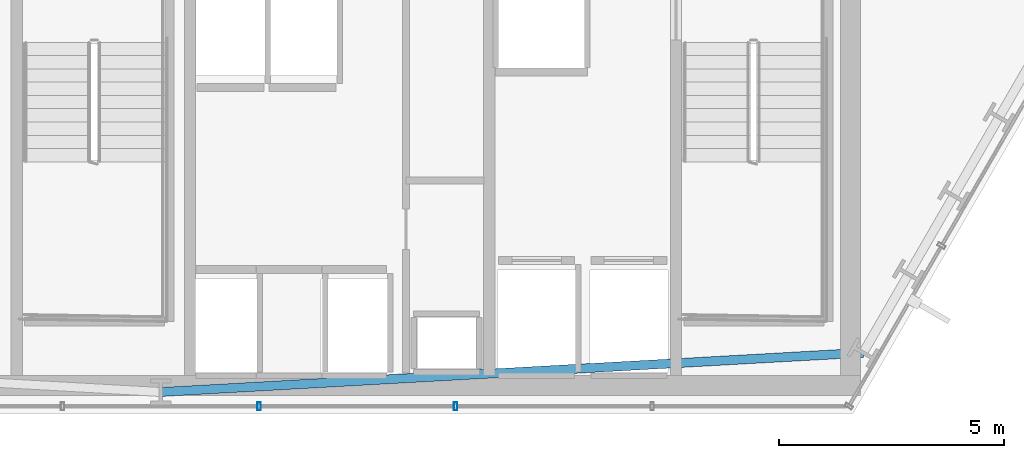
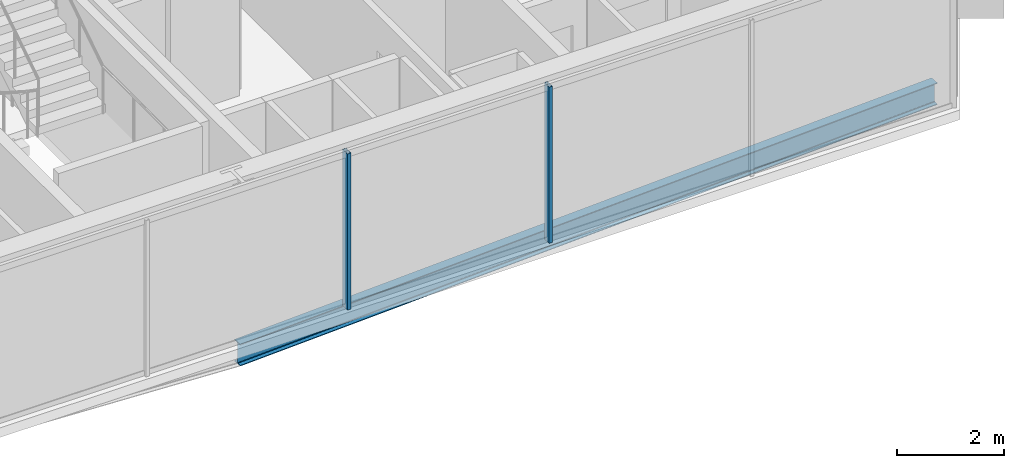
# One storey, part 8 of 33: 2 members, 1 beam, 1 element without a shape of its own.
"""IFC4 building model written with IfcOpenShell, lengths in metres."""

from ifc_helpers import new_model, si_unit, direction, frame, origin, origin_2d, place, context, subcontext, project, spatial, hollow_rectangle, i_section, extrude, material, layer, layer_set, material_profile, profile_set, type_object, element, aggregate, save


model = new_model("IFC4")

# Units and contexts
model_context = context("Model", 3, precision=1e-05, world=origin(), true_north=direction((0.0, 1.0)))
body_context = subcontext(model_context, "Body", "Model", "MODEL_VIEW")
ifc_project = project(units=[si_unit("LENGTHUNIT", "METRE"), si_unit("AREAUNIT", "SQUARE_METRE"), si_unit("VOLUMEUNIT", "CUBIC_METRE"), si_unit("PLANEANGLEUNIT", "RADIAN"), si_unit("MASSUNIT", "GRAM", prefix="KILO")], contexts=[model_context])

# Site, building, storey
site_placement = place(None, origin())
site = spatial("IfcSite", under=ifc_project, at=site_placement, CompositionType="ELEMENT")
building_placement = place(site_placement, origin())
building = spatial("IfcBuilding", under=site, at=building_placement, Name="Ndaravel Arena Tower", CompositionType="ELEMENT")
storey_placement = place(building_placement, frame((0.0, 0.0, 36.0)))
storey = spatial("IfcBuildingStorey", under=building, at=storey_placement, Name="L06", CompositionType="ELEMENT", Elevation=36.0)

# Beam
ifc_material_1 = material(Name="Steel S355", Category="steel")
ifc_material_profile_1 = material_profile(ifc_material_1, i_section(OverallWidth=0.199951171875, OverallDepth=0.5, WebThickness=0.01025390625, FlangeThickness=0.01611328125, FilletRadius=0.02099609375, at=origin_2d()), Name="IPE 500")
ifc_profile_set_1 = profile_set([ifc_material_profile_1], Name="Steel S355")
beam_type = type_object("IfcBeamType", Name="BM-SPAN-IPE500", PredefinedType="SPANDREL", material=ifc_profile_set_1)
beam_placement = place(storey_placement, frame((42.0, 5.47998046875, -0.469970703125), z_axis=(0.998443390482, 0.055774510331, 0.0), x_axis=(-0.055774510331, 0.998443390482, 0.0)))
element("IfcBeam", 1, at=beam_placement, inside=storey, type_object=beam_type, Name="L06 Perimeter Spandrel Beam SP-01", PredefinedType="SPANDREL", context=body_context, shape_type="SweptSolid", body=[
    extrude(i_section(OverallWidth=0.199951171875, OverallDepth=0.5, WebThickness=0.01025390625, FlangeThickness=0.01611328125, FilletRadius=0.02099609375, at=origin_2d()), origin(), (0.0, 0.0, 1.0), 15.63134765625),
])

# Curtain wall, members
ifc_material_2 = material(Name="Aluminium", Category="aluminium")
ifc_layer = layer(ifc_material_2, 0.179931640625)
ifc_layer_set = layer_set([ifc_layer], Name="Aluminium")
curtain_wall_type = type_object("IfcCurtainWallType", Name="CW-SYS-03", PredefinedType="NOTDEFINED", material=ifc_layer_set)
curtain_wall_placement = place(storey_placement, origin())
curtain_wall = element("IfcCurtainWall", 2, at=curtain_wall_placement, inside=storey, type_object=curtain_wall_type, Name="L06 Faceted Crystal Curtain Wall CW-L06-E01", PredefinedType="NOTDEFINED")
ifc_material_3 = material(Name="Aluminium", Category="aluminium")
ifc_material_profile_2 = material_profile(ifc_material_3, hollow_rectangle(XDim=0.074951171875, YDim=0.179931640625, WallThickness=0.00390625, at=origin_2d()), Name="CW MULLION 75x180x4")
ifc_profile_set_2 = profile_set([ifc_material_profile_2], Name="Aluminium")
member_type = type_object("IfcMemberType", Name="MEM-CW-MUL180", PredefinedType="MULLION", material=ifc_profile_set_2)
member_1_placement = place(storey_placement, frame((44.18408203125, 5.159912109375, 0.0), z_axis=(0.0, 0.0, 1.0), x_axis=(1.0, 0.0, 0.0)))
member_1 = element("IfcMember", 3, at=member_1_placement, type_object=member_type, Name="CW-L06-E01 Mullion 04", PredefinedType="MULLION", context=body_context, shape_type="SweptSolid", body=[
    extrude(hollow_rectangle(XDim=0.074951171875, YDim=0.179931640625, WallThickness=0.00390625, at=origin_2d()), origin(), (0.0, 0.0, 1.0), 3.580078125),
])
member_2_placement = place(storey_placement, frame((48.552001953125, 5.159912109375, 0.0), z_axis=(0.0, 0.0, 1.0), x_axis=(1.0, 0.0, 0.0)))
member_2 = element("IfcMember", 4, at=member_2_placement, type_object=member_type, Name="CW-L06-E01 Mullion 05", PredefinedType="MULLION", context=body_context, shape_type="SweptSolid", body=[
    extrude(hollow_rectangle(XDim=0.074951171875, YDim=0.179931640625, WallThickness=0.00390625, at=origin_2d()), origin(), (0.0, 0.0, 1.0), 3.580078125),
])
aggregate(curtain_wall, [member_1, member_2])

save(model, "model.ifc")
